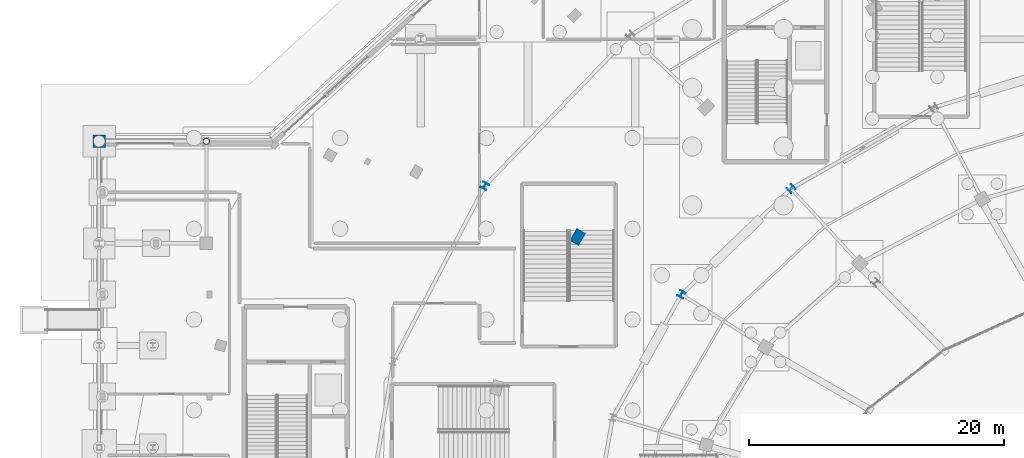
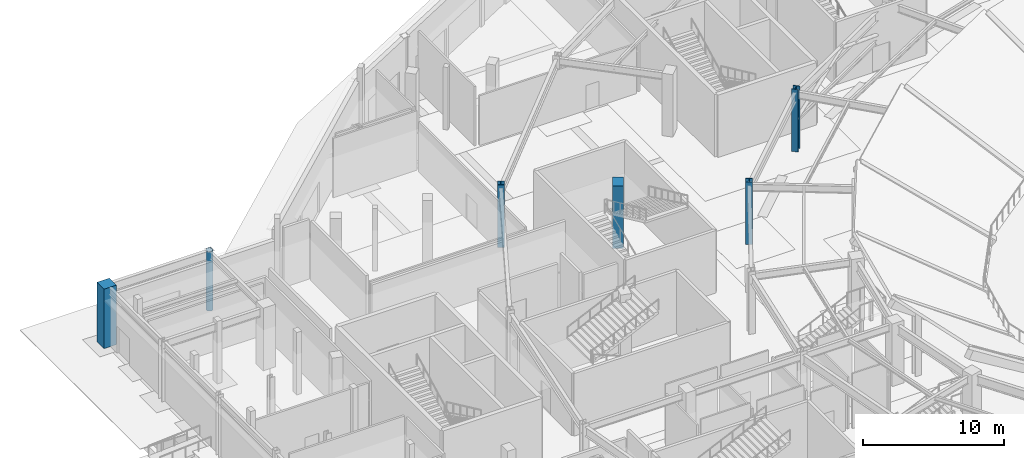
# One storey, part 20 of 93: 6 columns.
"""IFC4 building model written with IfcOpenShell, lengths in metres."""

from ifc_helpers import new_model, si_unit, direction, frame, origin, origin_2d, place, context, subcontext, project, spatial, rectangle, hollow_circle, i_section, extrude, material, material_profile, profile_set, type_object, element, save


model = new_model("IFC4")

# Units and contexts
model_context = context("Model", 3, precision=1e-05, world=origin(), true_north=direction((0.0, 1.0)))
body_context = subcontext(model_context, "Body", "Model", "MODEL_VIEW")
ifc_project = project(units=[si_unit("LENGTHUNIT", "METRE"), si_unit("AREAUNIT", "SQUARE_METRE"), si_unit("VOLUMEUNIT", "CUBIC_METRE"), si_unit("PLANEANGLEUNIT", "RADIAN"), si_unit("MASSUNIT", "GRAM", prefix="KILO")], contexts=[model_context])

# Site, building, storey
site_placement = place(None, origin())
site = spatial("IfcSite", under=ifc_project, at=site_placement, CompositionType="ELEMENT")
building_placement = place(site_placement, origin())
building = spatial("IfcBuilding", under=site, at=building_placement, Name="Kalgoora Escarpment Arena", CompositionType="ELEMENT")
storey_placement = place(building_placement, origin())
storey = spatial("IfcBuildingStorey", under=building, at=storey_placement, Name="L00", CompositionType="ELEMENT", Elevation=0.0)

# Columns
ifc_material_1 = material(Name="Structural steel Grade 350 (350 MPa)", Category="steel")
ifc_material_profile_1 = material_profile(ifc_material_1, i_section(OverallWidth=0.5, OverallDepth=0.5, WebThickness=0.02001953125, FlangeThickness=0.034912109375, at=origin_2d()))
ifc_profile_set_1 = profile_set([ifc_material_profile_1], Name="Structural steel Grade 350 (350 MPa)")
column_type_1 = type_object("IfcColumnType", Name="COL-COL-500WC340", PredefinedType="COLUMN", material=ifc_profile_set_1)
column_1_placement = place(storey_placement, frame((30.219482421875, 92.5, 0.0), z_axis=(0.0, 0.0, 1.0), x_axis=(-0.866025403784, 0.5, 0.0)))
element("IfcColumn", 1, at=column_1_placement, inside=storey, type_object=column_type_1, Name="L00 structural column COL-RCONC2-R11", PredefinedType="COLUMN", context=body_context, shape_type="SweptSolid", body=[
    extrude(i_section(OverallWidth=0.5, OverallDepth=0.5, WebThickness=0.02001953125, FlangeThickness=0.034912109375, at=origin_2d()), origin(), (0.0, 0.0, 1.0), 5.39990234375),
])
ifc_material_2 = material(Name="Structural steel Grade 350 (350 MPa)", Category="steel")
ifc_material_profile_2 = material_profile(ifc_material_2, i_section(OverallWidth=0.5, OverallDepth=0.5, WebThickness=0.02490234375, FlangeThickness=0.0419921875, at=origin_2d()))
ifc_profile_set_2 = profile_set([ifc_material_profile_2], Name="Structural steel Grade 350 (350 MPa)")
column_type_2 = type_object("IfcColumnType", Name="COL-COL-500WC440", PredefinedType="COLUMN", material=ifc_profile_set_2)
for number, where, z_axis, x_axis, name in (
    (2, (54.21630859375, 92.2841796875, 0.0), (0.0, 0.0, 1.0), (-0.707106781187, 0.707106781187, 0.0), "L00 structural column COL-RMAIN-R10"),
    (3, (45.634521484375, 84.0, 0.0), (0.0, 0.0, 1.0), (-0.866025403784, 0.5, 0.0), "L00 structural column COL-RMAIN-R11"),
):
    element("IfcColumn", number, at=place(storey_placement, frame(where, z_axis=z_axis, x_axis=x_axis)), inside=storey, type_object=column_type_2, Name=name, PredefinedType="COLUMN", context=body_context, shape_type="SweptSolid", body=[
        extrude(i_section(OverallWidth=0.5, OverallDepth=0.5, WebThickness=0.02490234375, FlangeThickness=0.0419921875, at=origin_2d()), origin(), (0.0, 0.0, 1.0), 5.39990234375),
    ])
ifc_material_3 = material(Name="Structural steel C350 (350 MPa)", Category="steel")
ifc_material_profile_3 = material_profile(ifc_material_3, hollow_circle(Radius=0.25390625, WallThickness=0.01611328125, at=origin_2d()))
ifc_profile_set_3 = profile_set([ifc_material_profile_3], Name="Structural steel C350 (350 MPa)")
column_type_3 = type_object("IfcColumnType", Name="COL-COL-508.0x16.0CHS", PredefinedType="COLUMN", material=ifc_profile_set_3)
column_2_placement = place(storey_placement, frame((8.39990234375, 96.0, 0.0), z_axis=(0.0, 0.0, 1.0), x_axis=(1.0, 0.0, 0.0)))
element("IfcColumn", 4, at=column_2_placement, inside=storey, type_object=column_type_3, Name="L00 structural column COL-G2-N", PredefinedType="COLUMN", context=body_context, shape_type="SweptSolid", body=[
    extrude(hollow_circle(Radius=0.25390625, WallThickness=0.01611328125, at=origin_2d()), origin(), (0.0, 0.0, 1.0), 5.14990234375),
])
ifc_material_4 = material(Name="Concrete N50 (fc' 50 MPa)", Category="concrete")
ifc_material_profile_4 = material_profile(ifc_material_4, rectangle(XDim=1.0, YDim=1.0, at=origin_2d()))
ifc_profile_set_4 = profile_set([ifc_material_profile_4], Name="Concrete N50 (fc' 50 MPa)")
column_type_4 = type_object("IfcColumnType", Name="COL-COL-RC1000x1000", PredefinedType="COLUMN", material=ifc_profile_set_4)
column_3_placement = place(storey_placement, frame((0.0, 96.0, 0.0), z_axis=(0.0, 0.0, 1.0), x_axis=(1.0, 0.0, 0.0)))
element("IfcColumn", 5, at=column_3_placement, inside=storey, type_object=column_type_4, Name="L00 structural column COL-G1-N", PredefinedType="COLUMN", context=body_context, shape_type="SweptSolid", body=[
    extrude(rectangle(XDim=1.0, YDim=1.0, at=origin_2d()), origin(), (0.0, 0.0, 1.0), 5.14990234375),
])
ifc_material_5 = material(Name="Concrete N50 (fc' 50 MPa)", Category="concrete")
ifc_material_profile_5 = material_profile(ifc_material_5, rectangle(XDim=0.800048828125, YDim=1.10009765625, at=origin_2d()))
ifc_profile_set_5 = profile_set([ifc_material_profile_5], Name="Concrete N50 (fc' 50 MPa)")
column_type_5 = type_object("IfcColumnType", Name="COL-COL-RC1100x800", PredefinedType="COLUMN", material=ifc_profile_set_5)
column_4_placement = place(storey_placement, frame((37.493896484375, 88.5, 0.0), z_axis=(0.0, 0.0, 1.0), x_axis=(-0.866025403784, 0.5, 0.0)))
element("IfcColumn", 6, at=column_4_placement, inside=storey, type_object=column_type_5, Name="L00 structural column COL-RCONC1-R11", PredefinedType="COLUMN", context=body_context, shape_type="SweptSolid", body=[
    extrude(rectangle(XDim=0.800048828125, YDim=1.10009765625, at=origin_2d()), origin(), (0.0, 0.0, 1.0), 5.39990234375),
])

save(model, "model.ifc")
